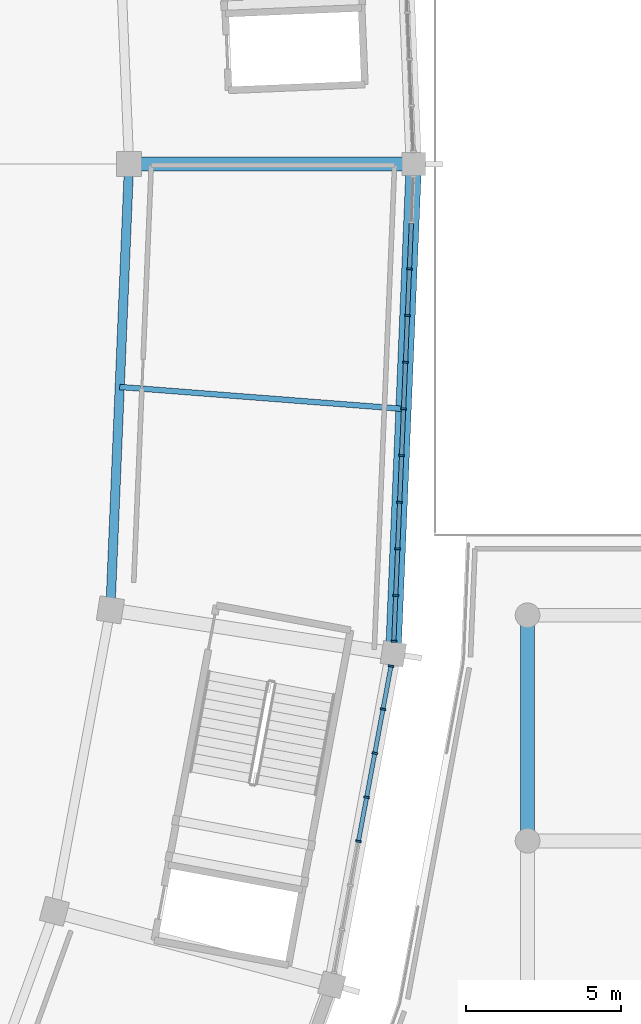
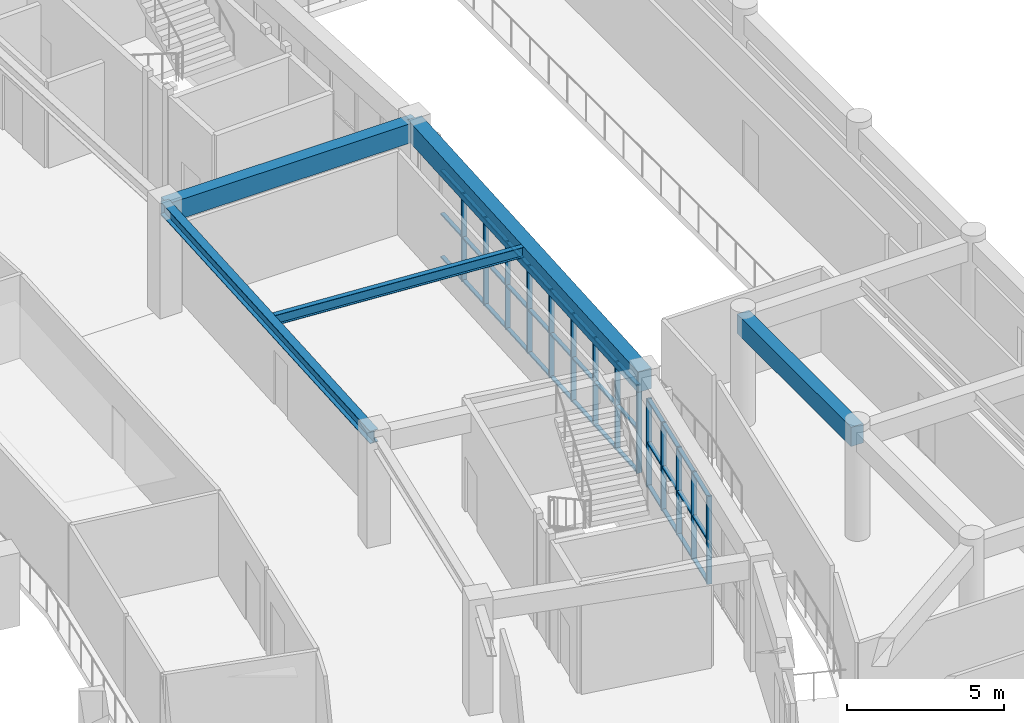
# One storey, part 43 of 141: 53 members, 5 beams, 2 elements without a shape of their own.
"""IFC4 building model written with IfcOpenShell, lengths in metres."""

from ifc_helpers import new_model, si_unit, direction, frame, origin, origin_2d, place, context, subcontext, project, spatial, rectangle, i_section, extrude, material, layer, layer_set, material_profile, profile_set, type_object, element, aggregate, save


model = new_model("IFC4")

# Units and contexts
model_context = context("Model", 3, precision=1e-05, world=origin(), true_north=direction((0.0, 1.0)))
body_context = subcontext(model_context, "Body", "Model", "MODEL_VIEW")
ifc_project = project(units=[si_unit("LENGTHUNIT", "METRE"), si_unit("AREAUNIT", "SQUARE_METRE"), si_unit("VOLUMEUNIT", "CUBIC_METRE"), si_unit("PLANEANGLEUNIT", "RADIAN"), si_unit("MASSUNIT", "GRAM", prefix="KILO")], contexts=[model_context])

# Site, building, storey
site_placement = place(None, origin())
site = spatial("IfcSite", under=ifc_project, at=site_placement, CompositionType="ELEMENT")
building_placement = place(site_placement, origin())
building = spatial("IfcBuilding", under=site, at=building_placement, Name="Mphavela Belvedere Stadium", CompositionType="ELEMENT")
storey_placement = place(building_placement, frame((0.0, 0.0, 14.699951171875)))
storey = spatial("IfcBuildingStorey", under=building, at=storey_placement, Name="L03", CompositionType="ELEMENT", Elevation=14.699951171875)

# Beams
ifc_material_1 = material(Name="Steel S355", Category="steel")
ifc_material_profile_1 = material_profile(ifc_material_1, i_section(OverallWidth=0.179931640625, OverallDepth=0.39990234375, WebThickness=0.008544921875, FlangeThickness=0.013427734375, at=origin_2d()), Name="IPE 400")
ifc_profile_set_1 = profile_set([ifc_material_profile_1], Name="Steel S355")
beam_type_1 = type_object("IfcBeamType", Name="BM-JOIST-IPE400", PredefinedType="JOIST", material=ifc_profile_set_1)
beam_1_placement = place(storey_placement, frame((208.302490234375, 79.78759765625, 4.050048828125), z_axis=(0.997024166372, -0.077089634, 0.0), x_axis=(0.077089634, 0.997024166372, 0.0)))
element("IfcBeam", 1, at=beam_1_placement, inside=storey, type_object=beam_type_1, Name="Concourse floor joist L03-48", PredefinedType="JOIST", context=body_context, shape_type="SweptSolid", body=[
    extrude(i_section(OverallWidth=0.179931640625, OverallDepth=0.39990234375, WebThickness=0.008544921875, FlangeThickness=0.013427734375, at=origin_2d()), origin(), (0.0, 0.0, 1.0), 9.212646484375),
])
ifc_material_2 = material(Name="Concrete C40/50", Category="concrete")
ifc_material_profile_2 = material_profile(ifc_material_2, rectangle(XDim=0.449951171875, YDim=0.75, at=origin_2d()), Name="RC 450x750")
ifc_profile_set_2 = profile_set([ifc_material_profile_2], Name="Concrete C40/50")
beam_type_2 = type_object("IfcBeamType", Name="BM-RC450x750", PredefinedType="BEAM", material=ifc_profile_set_2)
beam_2_placement = place(storey_placement, frame((208.60498046875, 87.0, 3.875), z_axis=(1.0, 0.0, 0.0), x_axis=(0.0, 1.0, 0.0)))
element("IfcBeam", 2, at=beam_2_placement, inside=storey, type_object=beam_type_2, Name="Radial concourse girder L03 R3R4-01", PredefinedType="BEAM", context=body_context, shape_type="SweptSolid", body=[
    extrude(rectangle(XDim=0.449951171875, YDim=0.75, at=origin_2d()), origin(), (0.0, 0.0, 1.0), 9.215087890625),
])
beam_3_placement = place(storey_placement, frame((221.5, 65.10009765625, 3.864990234375), z_axis=(0.0, 1.0, 0.0), x_axis=(-1.0, 0.0, 0.0)))
element("IfcBeam", 3, at=beam_3_placement, inside=storey, type_object=beam_type_2, Name="East Planted Eaves Peristyle Colonnade entablature beam Y L03 8-3", PredefinedType="BEAM", context=body_context, shape_type="SweptSolid", body=[
    extrude(rectangle(XDim=0.449951171875, YDim=0.75, at=origin_2d()), origin(), (0.0, 0.0, 1.0), 7.2998046875),
])
ifc_material_3 = material(Name="Concrete C40/50", Category="concrete")
ifc_material_profile_3 = material_profile(ifc_material_3, rectangle(XDim=0.5, YDim=0.800048828125, at=origin_2d()), Name="RC 500x800")
ifc_profile_set_3 = profile_set([ifc_material_profile_3], Name="Concrete C40/50")
beam_type_3 = type_object("IfcBeamType", Name="BM-SPANDREL-800", PredefinedType="SPANDREL", material=ifc_profile_set_3)
beam_4_placement = place(storey_placement, frame((217.155517578125, 71.155029296875, 3.85009765625), z_axis=(0.041903963155, 0.999121643181, 0.0), x_axis=(-0.999121643181, 0.041903963155, 0.0)))
element("IfcBeam", 4, at=beam_4_placement, inside=storey, type_object=beam_type_3, Name="Circumferential girder L03 R4-48", PredefinedType="SPANDREL", context=body_context, shape_type="SweptSolid", body=[
    extrude(rectangle(XDim=0.5, YDim=0.800048828125, at=origin_2d()), origin(), (0.0, 0.0, 1.0), 15.85888671875),
])
ifc_material_4 = material(Name="Steel S355", Category="steel")
ifc_material_profile_4 = material_profile(ifc_material_4, i_section(OverallWidth=0.300048828125, OverallDepth=0.489990234375, WebThickness=0.011962890625, FlangeThickness=0.02294921875, at=origin_2d()), Name="HEA 500")
ifc_profile_set_4 = profile_set([ifc_material_profile_4], Name="Steel S355")
beam_type_4 = type_object("IfcBeamType", Name="BM-STEEL-HEA500", PredefinedType="BEAM", material=ifc_profile_set_4)
beam_5_placement = place(storey_placement, frame((208.0, 72.5751953125, 4.005126953125), z_axis=(0.041903450766, 0.99912166467, 0.0), x_axis=(-0.99912166467, 0.041903450766, 0.0)))
element("IfcBeam", 5, at=beam_5_placement, inside=storey, type_object=beam_type_4, Name="Circumferential girder L03 R3-48", PredefinedType="BEAM", context=body_context, shape_type="SweptSolid", body=[
    extrude(i_section(OverallWidth=0.300048828125, OverallDepth=0.489990234375, WebThickness=0.011962890625, FlangeThickness=0.02294921875, at=origin_2d()), origin(), (0.0, 0.0, 1.0), 14.4375),
])

# Curtain wall, members
ifc_material_5 = material(Name="Anodised bronze unitised curtain wall framing")
ifc_layer_1 = layer(ifc_material_5, 0.18994140625)
ifc_layer_set_1 = layer_set([ifc_layer_1], Name="Anodised bronze unitised curtain wall framing")
curtain_wall_type_1 = type_object("IfcCurtainWallType", Name="CW-UNIT-03", PredefinedType="USERDEFINED", material=ifc_layer_set_1)
curtain_wall_1_placement = place(storey_placement, origin())
curtain_wall_1 = element("IfcCurtainWall", 6, at=curtain_wall_1_placement, inside=storey, type_object=curtain_wall_type_1, Name="Belvedere colonnade curtain wall L03-47", ObjectType="UNITISED CURTAIN WALL", PredefinedType="USERDEFINED")
ifc_material_6 = material(Name="Anodised bronze extruded aluminium", Category="aluminium")
ifc_material_profile_5 = material_profile(ifc_material_6, rectangle(XDim=0.179931640625, YDim=0.06494140625, at=origin_2d()), Name="CW-MUL 180x65")
ifc_profile_set_5 = profile_set([ifc_material_profile_5], Name="Anodised bronze extruded aluminium")
member_type_1 = type_object("IfcMemberType", Name="CWM-180x65", PredefinedType="MULLION", material=ifc_profile_set_5)
member_1_placement = place(storey_placement, frame((216.027587890625, 65.0830078125, 0.0), z_axis=(0.0, 0.0, 1.0), x_axis=(-0.983181487142, 0.182631222254, 0.0)))
member_1 = element("IfcMember", 7, at=member_1_placement, type_object=member_type_1, Name="CW-03 mullion 4", PredefinedType="MULLION", context=body_context, shape_type="SweptSolid", body=[
    extrude(rectangle(XDim=0.179931640625, YDim=0.06494140625, at=origin_2d()), origin(), (0.0, 0.0, 1.0), 3.420166015625),
])
member_2_placement = place(storey_placement, frame((216.29248046875, 66.509521484375, 0.0), z_axis=(0.0, 0.0, 1.0), x_axis=(-0.983181487142, 0.182631222254, 0.0)))
member_2 = element("IfcMember", 8, at=member_2_placement, type_object=member_type_1, Name="CW-03 mullion 5", PredefinedType="MULLION", context=body_context, shape_type="SweptSolid", body=[
    extrude(rectangle(XDim=0.179931640625, YDim=0.06494140625, at=origin_2d()), origin(), (0.0, 0.0, 1.0), 3.420166015625),
])
member_3_placement = place(storey_placement, frame((216.557373046875, 67.935791015625, 0.0), z_axis=(0.0, 0.0, 1.0), x_axis=(-0.983181487142, 0.182631222254, 0.0)))
member_3 = element("IfcMember", 9, at=member_3_placement, type_object=member_type_1, Name="CW-03 mullion 6", PredefinedType="MULLION", context=body_context, shape_type="SweptSolid", body=[
    extrude(rectangle(XDim=0.179931640625, YDim=0.06494140625, at=origin_2d()), origin(), (0.0, 0.0, 1.0), 3.420166015625),
])
member_4_placement = place(storey_placement, frame((216.822265625, 69.362060546875, 0.0), z_axis=(0.0, 0.0, 1.0), x_axis=(-0.983181487142, 0.182631222254, 0.0)))
member_4 = element("IfcMember", 10, at=member_4_placement, type_object=member_type_1, Name="CW-03 mullion 7", PredefinedType="MULLION", context=body_context, shape_type="SweptSolid", body=[
    extrude(rectangle(XDim=0.179931640625, YDim=0.06494140625, at=origin_2d()), origin(), (0.0, 0.0, 1.0), 3.420166015625),
])
member_5_placement = place(storey_placement, frame((217.081298828125, 70.75634765625, 0.0), z_axis=(0.0, 0.0, 1.0), x_axis=(-0.983181487142, 0.182631222254, 0.0)))
member_5 = element("IfcMember", 11, at=member_5_placement, type_object=member_type_1, Name="CW-03 mullion 8", PredefinedType="MULLION", context=body_context, shape_type="SweptSolid", body=[
    extrude(rectangle(XDim=0.179931640625, YDim=0.06494140625, at=origin_2d()), origin(), (0.0, 0.0, 1.0), 3.420166015625),
])

ifc_material_7 = material(Name="Anodised bronze unitised curtain wall framing")
ifc_layer_2 = layer(ifc_material_7, 0.195068359375)
ifc_layer_set_2 = layer_set([ifc_layer_2], Name="Anodised bronze unitised curtain wall framing")
curtain_wall_type_2 = type_object("IfcCurtainWallType", Name="CW-UNIT-04", PredefinedType="USERDEFINED", material=ifc_layer_set_2)
curtain_wall_2_placement = place(storey_placement, origin())
curtain_wall_2 = element("IfcCurtainWall", 12, at=curtain_wall_2_placement, inside=storey, type_object=curtain_wall_type_2, Name="Belvedere colonnade curtain wall L03-48", ObjectType="UNITISED CURTAIN WALL", PredefinedType="USERDEFINED")
member_6_placement = place(storey_placement, frame((217.17236328125, 71.56005859375, 0.0), z_axis=(0.0, 0.0, 1.0), x_axis=(-0.999121336582, 0.041911272788, 0.0)))
member_6 = element("IfcMember", 13, at=member_6_placement, type_object=member_type_1, Name="CW-04 mullion 1", PredefinedType="MULLION", context=body_context, shape_type="SweptSolid", body=[
    extrude(rectangle(XDim=0.179931640625, YDim=0.06494140625, at=origin_2d()), origin(), (0.0, 0.0, 1.0), 3.420166015625),
])
member_7_placement = place(storey_placement, frame((217.234375, 73.03759765625, 0.0), z_axis=(0.0, 0.0, 1.0), x_axis=(-0.999121336582, 0.041911272788, 0.0)))
member_7 = element("IfcMember", 14, at=member_7_placement, type_object=member_type_1, Name="CW-04 mullion 2", PredefinedType="MULLION", context=body_context, shape_type="SweptSolid", body=[
    extrude(rectangle(XDim=0.179931640625, YDim=0.06494140625, at=origin_2d()), origin(), (0.0, 0.0, 1.0), 3.420166015625),
])
member_8_placement = place(storey_placement, frame((217.297607421875, 74.547607421875, 0.0), z_axis=(0.0, 0.0, 1.0), x_axis=(-0.999121336582, 0.041911272788, 0.0)))
member_8 = element("IfcMember", 15, at=member_8_placement, type_object=member_type_1, Name="CW-04 mullion 3", PredefinedType="MULLION", context=body_context, shape_type="SweptSolid", body=[
    extrude(rectangle(XDim=0.179931640625, YDim=0.06494140625, at=origin_2d()), origin(), (0.0, 0.0, 1.0), 3.420166015625),
])
member_9_placement = place(storey_placement, frame((217.361083984375, 76.0576171875, 0.0), z_axis=(0.0, 0.0, 1.0), x_axis=(-0.999121336582, 0.041911272788, 0.0)))
member_9 = element("IfcMember", 16, at=member_9_placement, type_object=member_type_1, Name="CW-04 mullion 4", PredefinedType="MULLION", context=body_context, shape_type="SweptSolid", body=[
    extrude(rectangle(XDim=0.179931640625, YDim=0.06494140625, at=origin_2d()), origin(), (0.0, 0.0, 1.0), 3.420166015625),
])
member_10_placement = place(storey_placement, frame((217.42431640625, 77.567626953125, 0.0), z_axis=(0.0, 0.0, 1.0), x_axis=(-0.999121336582, 0.041911272788, 0.0)))
member_10 = element("IfcMember", 17, at=member_10_placement, type_object=member_type_1, Name="CW-04 mullion 5", PredefinedType="MULLION", context=body_context, shape_type="SweptSolid", body=[
    extrude(rectangle(XDim=0.179931640625, YDim=0.06494140625, at=origin_2d()), origin(), (0.0, 0.0, 1.0), 3.420166015625),
])
member_11_placement = place(storey_placement, frame((217.48779296875, 79.077392578125, 0.0), z_axis=(0.0, 0.0, 1.0), x_axis=(-0.999121336582, 0.041911272788, 0.0)))
member_11 = element("IfcMember", 18, at=member_11_placement, type_object=member_type_1, Name="CW-04 mullion 6", PredefinedType="MULLION", context=body_context, shape_type="SweptSolid", body=[
    extrude(rectangle(XDim=0.179931640625, YDim=0.06494140625, at=origin_2d()), origin(), (0.0, 0.0, 1.0), 3.420166015625),
])
member_12_placement = place(storey_placement, frame((217.551025390625, 80.58740234375, 0.0), z_axis=(0.0, 0.0, 1.0), x_axis=(-0.999121336582, 0.041911272788, 0.0)))
member_12 = element("IfcMember", 19, at=member_12_placement, type_object=member_type_1, Name="CW-04 mullion 7", PredefinedType="MULLION", context=body_context, shape_type="SweptSolid", body=[
    extrude(rectangle(XDim=0.179931640625, YDim=0.06494140625, at=origin_2d()), origin(), (0.0, 0.0, 1.0), 3.420166015625),
])
member_13_placement = place(storey_placement, frame((217.614501953125, 82.097412109375, 0.0), z_axis=(0.0, 0.0, 1.0), x_axis=(-0.999121336582, 0.041911272788, 0.0)))
member_13 = element("IfcMember", 20, at=member_13_placement, type_object=member_type_1, Name="CW-04 mullion 8", PredefinedType="MULLION", context=body_context, shape_type="SweptSolid", body=[
    extrude(rectangle(XDim=0.179931640625, YDim=0.06494140625, at=origin_2d()), origin(), (0.0, 0.0, 1.0), 3.420166015625),
])
member_14_placement = place(storey_placement, frame((217.677734375, 83.607421875, 0.0), z_axis=(0.0, 0.0, 1.0), x_axis=(-0.999121336582, 0.041911272788, 0.0)))
member_14 = element("IfcMember", 21, at=member_14_placement, type_object=member_type_1, Name="CW-04 mullion 9", PredefinedType="MULLION", context=body_context, shape_type="SweptSolid", body=[
    extrude(rectangle(XDim=0.179931640625, YDim=0.06494140625, at=origin_2d()), origin(), (0.0, 0.0, 1.0), 3.420166015625),
])

# Member
ifc_material_8 = material(Name="Anodised bronze extruded aluminium", Category="aluminium")
ifc_material_profile_6 = material_profile(ifc_material_8, rectangle(XDim=0.139892578125, YDim=0.06005859375, at=origin_2d()), Name="CW-TRN 140x60")
ifc_profile_set_6 = profile_set([ifc_material_profile_6], Name="Anodised bronze extruded aluminium")
member_type_2 = type_object("IfcMemberType", Name="CWT-140x60", PredefinedType="USERDEFINED", material=ifc_profile_set_6)
member_15_placement = place(storey_placement, frame((216.033447265625, 65.114990234375, 0.030029296875), z_axis=(0.182682203947, 0.983172015652, 0.0), x_axis=(-0.983172015652, 0.182682203947, 0.0)))
member_15 = element("IfcMember", 22, at=member_15_placement, type_object=member_type_2, Name="CW-03 transom 4.1", ObjectType="TRANSOM", PredefinedType="USERDEFINED", context=body_context, shape_type="SweptSolid", body=[
    extrude(rectangle(XDim=0.139892578125, YDim=0.06005859375, at=origin_2d()), origin(), (0.0, 0.0, 1.0), 1.385986328125),
])

member_16_placement = place(storey_placement, frame((216.033447265625, 65.114990234375, 1.7099609375), z_axis=(0.182682203947, 0.983172015652, 0.0), x_axis=(-0.983172015652, 0.182682203947, 0.0)))
member_16 = element("IfcMember", 23, at=member_16_placement, type_object=member_type_2, Name="CW-03 transom 4.2", ObjectType="TRANSOM", PredefinedType="USERDEFINED", context=body_context, shape_type="SweptSolid", body=[
    extrude(rectangle(XDim=0.139892578125, YDim=0.06005859375, at=origin_2d()), origin(), (0.0, 0.0, 1.0), 1.385986328125),
])

member_17_placement = place(storey_placement, frame((216.033447265625, 65.114990234375, 3.39013671875), z_axis=(0.182682203947, 0.983172015652, 0.0), x_axis=(-0.983172015652, 0.182682203947, 0.0)))
member_17 = element("IfcMember", 24, at=member_17_placement, type_object=member_type_2, Name="CW-03 transom 4.3", ObjectType="TRANSOM", PredefinedType="USERDEFINED", context=body_context, shape_type="SweptSolid", body=[
    extrude(rectangle(XDim=0.139892578125, YDim=0.06005859375, at=origin_2d()), origin(), (0.0, 0.0, 1.0), 1.385986328125),
])

member_18_placement = place(storey_placement, frame((216.29833984375, 66.541259765625, 0.030029296875), z_axis=(0.182682203947, 0.983172015652, 0.0), x_axis=(-0.983172015652, 0.182682203947, 0.0)))
member_18 = element("IfcMember", 25, at=member_18_placement, type_object=member_type_2, Name="CW-03 transom 5.1", ObjectType="TRANSOM", PredefinedType="USERDEFINED", context=body_context, shape_type="SweptSolid", body=[
    extrude(rectangle(XDim=0.139892578125, YDim=0.06005859375, at=origin_2d()), origin(), (0.0, 0.0, 1.0), 1.385986328125),
])

member_19_placement = place(storey_placement, frame((216.29833984375, 66.541259765625, 1.7099609375), z_axis=(0.182682203947, 0.983172015652, 0.0), x_axis=(-0.983172015652, 0.182682203947, 0.0)))
member_19 = element("IfcMember", 26, at=member_19_placement, type_object=member_type_2, Name="CW-03 transom 5.2", ObjectType="TRANSOM", PredefinedType="USERDEFINED", context=body_context, shape_type="SweptSolid", body=[
    extrude(rectangle(XDim=0.139892578125, YDim=0.06005859375, at=origin_2d()), origin(), (0.0, 0.0, 1.0), 1.385986328125),
])

member_20_placement = place(storey_placement, frame((216.29833984375, 66.541259765625, 3.39013671875), z_axis=(0.182682203947, 0.983172015652, 0.0), x_axis=(-0.983172015652, 0.182682203947, 0.0)))
member_20 = element("IfcMember", 27, at=member_20_placement, type_object=member_type_2, Name="CW-03 transom 5.3", ObjectType="TRANSOM", PredefinedType="USERDEFINED", context=body_context, shape_type="SweptSolid", body=[
    extrude(rectangle(XDim=0.139892578125, YDim=0.06005859375, at=origin_2d()), origin(), (0.0, 0.0, 1.0), 1.385986328125),
])

member_21_placement = place(storey_placement, frame((216.563232421875, 67.9677734375, 0.030029296875), z_axis=(0.182713849827, 0.983166135036, 0.0), x_axis=(-0.983166135036, 0.182713849827, 0.0)))
member_21 = element("IfcMember", 28, at=member_21_placement, type_object=member_type_2, Name="CW-03 transom 6.1", ObjectType="TRANSOM", PredefinedType="USERDEFINED", context=body_context, shape_type="SweptSolid", body=[
    extrude(rectangle(XDim=0.139892578125, YDim=0.06005859375, at=origin_2d()), origin(), (0.0, 0.0, 1.0), 1.3857421875),
])

member_22_placement = place(storey_placement, frame((216.563232421875, 67.9677734375, 1.7099609375), z_axis=(0.182713849827, 0.983166135036, 0.0), x_axis=(-0.983166135036, 0.182713849827, 0.0)))
member_22 = element("IfcMember", 29, at=member_22_placement, type_object=member_type_2, Name="CW-03 transom 6.2", ObjectType="TRANSOM", PredefinedType="USERDEFINED", context=body_context, shape_type="SweptSolid", body=[
    extrude(rectangle(XDim=0.139892578125, YDim=0.06005859375, at=origin_2d()), origin(), (0.0, 0.0, 1.0), 1.3857421875),
])

member_23_placement = place(storey_placement, frame((216.563232421875, 67.9677734375, 3.39013671875), z_axis=(0.182713849827, 0.983166135036, 0.0), x_axis=(-0.983166135036, 0.182713849827, 0.0)))
member_23 = element("IfcMember", 30, at=member_23_placement, type_object=member_type_2, Name="CW-03 transom 6.3", ObjectType="TRANSOM", PredefinedType="USERDEFINED", context=body_context, shape_type="SweptSolid", body=[
    extrude(rectangle(XDim=0.139892578125, YDim=0.06005859375, at=origin_2d()), origin(), (0.0, 0.0, 1.0), 1.3857421875),
])

member_24_placement = place(storey_placement, frame((216.828369140625, 69.39404296875, 0.030029296875), z_axis=(0.182599668928, 0.983187347817, 0.0), x_axis=(-0.983187347817, 0.182599668928, 0.0)))
member_24 = element("IfcMember", 31, at=member_24_placement, type_object=member_type_2, Name="CW-03 transom 7.1", ObjectType="TRANSOM", PredefinedType="USERDEFINED", context=body_context, shape_type="SweptSolid", body=[
    extrude(rectangle(XDim=0.139892578125, YDim=0.06005859375, at=origin_2d()), origin(), (0.0, 0.0, 1.0), 1.35302734375),
])

member_25_placement = place(storey_placement, frame((216.828369140625, 69.39404296875, 1.7099609375), z_axis=(0.182599668928, 0.983187347817, 0.0), x_axis=(-0.983187347817, 0.182599668928, 0.0)))
member_25 = element("IfcMember", 32, at=member_25_placement, type_object=member_type_2, Name="CW-03 transom 7.2", ObjectType="TRANSOM", PredefinedType="USERDEFINED", context=body_context, shape_type="SweptSolid", body=[
    extrude(rectangle(XDim=0.139892578125, YDim=0.06005859375, at=origin_2d()), origin(), (0.0, 0.0, 1.0), 1.35302734375),
])

member_26_placement = place(storey_placement, frame((216.828369140625, 69.39404296875, 3.39013671875), z_axis=(0.182599668928, 0.983187347817, 0.0), x_axis=(-0.983187347817, 0.182599668928, 0.0)))
member_26 = element("IfcMember", 33, at=member_26_placement, type_object=member_type_2, Name="CW-03 transom 7.3", ObjectType="TRANSOM", PredefinedType="USERDEFINED", context=body_context, shape_type="SweptSolid", body=[
    extrude(rectangle(XDim=0.139892578125, YDim=0.06005859375, at=origin_2d()), origin(), (0.0, 0.0, 1.0), 1.35302734375),
])

aggregate(curtain_wall_1, [member_1, member_2, member_3, member_4, member_5, member_15, member_16, member_17, member_18, member_19, member_20, member_21, member_22, member_23, member_24, member_25, member_26])

member_27_placement = place(storey_placement, frame((217.173828125, 71.592529296875, 0.030029296875), z_axis=(0.041788559858, 0.999126476611, 0.0), x_axis=(-0.999126476611, 0.041788559858, 0.0)))
member_27 = element("IfcMember", 34, at=member_27_placement, type_object=member_type_2, Name="CW-04 transom 1.1", ObjectType="TRANSOM", PredefinedType="USERDEFINED", context=body_context, shape_type="SweptSolid", body=[
    extrude(rectangle(XDim=0.139892578125, YDim=0.06005859375, at=origin_2d()), origin(), (0.0, 0.0, 1.0), 1.413818359375),
])

member_28_placement = place(storey_placement, frame((217.173828125, 71.592529296875, 1.7099609375), z_axis=(0.041788559858, 0.999126476611, 0.0), x_axis=(-0.999126476611, 0.041788559858, 0.0)))
member_28 = element("IfcMember", 35, at=member_28_placement, type_object=member_type_2, Name="CW-04 transom 1.2", ObjectType="TRANSOM", PredefinedType="USERDEFINED", context=body_context, shape_type="SweptSolid", body=[
    extrude(rectangle(XDim=0.139892578125, YDim=0.06005859375, at=origin_2d()), origin(), (0.0, 0.0, 1.0), 1.413818359375),
])

member_29_placement = place(storey_placement, frame((217.173828125, 71.592529296875, 3.39013671875), z_axis=(0.041788559858, 0.999126476611, 0.0), x_axis=(-0.999126476611, 0.041788559858, 0.0)))
member_29 = element("IfcMember", 36, at=member_29_placement, type_object=member_type_2, Name="CW-04 transom 1.3", ObjectType="TRANSOM", PredefinedType="USERDEFINED", context=body_context, shape_type="SweptSolid", body=[
    extrude(rectangle(XDim=0.139892578125, YDim=0.06005859375, at=origin_2d()), origin(), (0.0, 0.0, 1.0), 1.413818359375),
])

member_30_placement = place(storey_placement, frame((217.235595703125, 73.070068359375, 0.030029296875), z_axis=(0.042030742213, 0.999116317907, 0.0), x_axis=(-0.999116317907, 0.042030742213, 0.0)))
member_30 = element("IfcMember", 37, at=member_30_placement, type_object=member_type_2, Name="CW-04 transom 2.1", ObjectType="TRANSOM", PredefinedType="USERDEFINED", context=body_context, shape_type="SweptSolid", body=[
    extrude(rectangle(XDim=0.139892578125, YDim=0.06005859375, at=origin_2d()), origin(), (0.0, 0.0, 1.0), 1.4462890625),
])

member_31_placement = place(storey_placement, frame((217.235595703125, 73.070068359375, 1.7099609375), z_axis=(0.042030742213, 0.999116317907, 0.0), x_axis=(-0.999116317907, 0.042030742213, 0.0)))
member_31 = element("IfcMember", 38, at=member_31_placement, type_object=member_type_2, Name="CW-04 transom 2.2", ObjectType="TRANSOM", PredefinedType="USERDEFINED", context=body_context, shape_type="SweptSolid", body=[
    extrude(rectangle(XDim=0.139892578125, YDim=0.06005859375, at=origin_2d()), origin(), (0.0, 0.0, 1.0), 1.4462890625),
])

member_32_placement = place(storey_placement, frame((217.235595703125, 73.070068359375, 3.39013671875), z_axis=(0.042030742213, 0.999116317907, 0.0), x_axis=(-0.999116317907, 0.042030742213, 0.0)))
member_32 = element("IfcMember", 39, at=member_32_placement, type_object=member_type_2, Name="CW-04 transom 2.3", ObjectType="TRANSOM", PredefinedType="USERDEFINED", context=body_context, shape_type="SweptSolid", body=[
    extrude(rectangle(XDim=0.139892578125, YDim=0.06005859375, at=origin_2d()), origin(), (0.0, 0.0, 1.0), 1.4462890625),
])

member_33_placement = place(storey_placement, frame((217.299072265625, 74.580078125, 0.030029296875), z_axis=(0.041862240457, 0.999123392191, 0.0), x_axis=(-0.999123392191, 0.041862240457, 0.0)))
member_33 = element("IfcMember", 40, at=member_33_placement, type_object=member_type_2, Name="CW-04 transom 3.1", ObjectType="TRANSOM", PredefinedType="USERDEFINED", context=body_context, shape_type="SweptSolid", body=[
    extrude(rectangle(XDim=0.139892578125, YDim=0.06005859375, at=origin_2d()), origin(), (0.0, 0.0, 1.0), 1.4462890625),
])

member_34_placement = place(storey_placement, frame((217.299072265625, 74.580078125, 1.7099609375), z_axis=(0.041862240457, 0.999123392191, 0.0), x_axis=(-0.999123392191, 0.041862240457, 0.0)))
member_34 = element("IfcMember", 41, at=member_34_placement, type_object=member_type_2, Name="CW-04 transom 3.2", ObjectType="TRANSOM", PredefinedType="USERDEFINED", context=body_context, shape_type="SweptSolid", body=[
    extrude(rectangle(XDim=0.139892578125, YDim=0.06005859375, at=origin_2d()), origin(), (0.0, 0.0, 1.0), 1.4462890625),
])

member_35_placement = place(storey_placement, frame((217.299072265625, 74.580078125, 3.39013671875), z_axis=(0.041862240457, 0.999123392191, 0.0), x_axis=(-0.999123392191, 0.041862240457, 0.0)))
member_35 = element("IfcMember", 42, at=member_35_placement, type_object=member_type_2, Name="CW-04 transom 3.3", ObjectType="TRANSOM", PredefinedType="USERDEFINED", context=body_context, shape_type="SweptSolid", body=[
    extrude(rectangle(XDim=0.139892578125, YDim=0.06005859375, at=origin_2d()), origin(), (0.0, 0.0, 1.0), 1.4462890625),
])

member_36_placement = place(storey_placement, frame((217.3623046875, 76.090087890625, 0.030029296875), z_axis=(0.042030742213, 0.999116317907, 0.0), x_axis=(-0.999116317907, 0.042030742213, 0.0)))
member_36 = element("IfcMember", 43, at=member_36_placement, type_object=member_type_2, Name="CW-04 transom 4.1", ObjectType="TRANSOM", PredefinedType="USERDEFINED", context=body_context, shape_type="SweptSolid", body=[
    extrude(rectangle(XDim=0.139892578125, YDim=0.06005859375, at=origin_2d()), origin(), (0.0, 0.0, 1.0), 1.4462890625),
])

member_37_placement = place(storey_placement, frame((217.3623046875, 76.090087890625, 1.7099609375), z_axis=(0.042030742213, 0.999116317907, 0.0), x_axis=(-0.999116317907, 0.042030742213, 0.0)))
member_37 = element("IfcMember", 44, at=member_37_placement, type_object=member_type_2, Name="CW-04 transom 4.2", ObjectType="TRANSOM", PredefinedType="USERDEFINED", context=body_context, shape_type="SweptSolid", body=[
    extrude(rectangle(XDim=0.139892578125, YDim=0.06005859375, at=origin_2d()), origin(), (0.0, 0.0, 1.0), 1.4462890625),
])

member_38_placement = place(storey_placement, frame((217.3623046875, 76.090087890625, 3.39013671875), z_axis=(0.042030742213, 0.999116317907, 0.0), x_axis=(-0.999116317907, 0.042030742213, 0.0)))
member_38 = element("IfcMember", 45, at=member_38_placement, type_object=member_type_2, Name="CW-04 transom 4.3", ObjectType="TRANSOM", PredefinedType="USERDEFINED", context=body_context, shape_type="SweptSolid", body=[
    extrude(rectangle(XDim=0.139892578125, YDim=0.06005859375, at=origin_2d()), origin(), (0.0, 0.0, 1.0), 1.4462890625),
])

member_39_placement = place(storey_placement, frame((217.42578125, 77.60009765625, 0.030029296875), z_axis=(0.041869301771, 0.999123096305, 0.0), x_axis=(-0.999123096305, 0.041869301771, 0.0)))
member_39 = element("IfcMember", 46, at=member_39_placement, type_object=member_type_2, Name="CW-04 transom 5.1", ObjectType="TRANSOM", PredefinedType="USERDEFINED", context=body_context, shape_type="SweptSolid", body=[
    extrude(rectangle(XDim=0.139892578125, YDim=0.06005859375, at=origin_2d()), origin(), (0.0, 0.0, 1.0), 1.446044921875),
])

member_40_placement = place(storey_placement, frame((217.42578125, 77.60009765625, 1.7099609375), z_axis=(0.041869301771, 0.999123096305, 0.0), x_axis=(-0.999123096305, 0.041869301771, 0.0)))
member_40 = element("IfcMember", 47, at=member_40_placement, type_object=member_type_2, Name="CW-04 transom 5.2", ObjectType="TRANSOM", PredefinedType="USERDEFINED", context=body_context, shape_type="SweptSolid", body=[
    extrude(rectangle(XDim=0.139892578125, YDim=0.06005859375, at=origin_2d()), origin(), (0.0, 0.0, 1.0), 1.446044921875),
])

member_41_placement = place(storey_placement, frame((217.42578125, 77.60009765625, 3.39013671875), z_axis=(0.041869301771, 0.999123096305, 0.0), x_axis=(-0.999123096305, 0.041869301771, 0.0)))
member_41 = element("IfcMember", 48, at=member_41_placement, type_object=member_type_2, Name="CW-04 transom 5.3", ObjectType="TRANSOM", PredefinedType="USERDEFINED", context=body_context, shape_type="SweptSolid", body=[
    extrude(rectangle(XDim=0.139892578125, YDim=0.06005859375, at=origin_2d()), origin(), (0.0, 0.0, 1.0), 1.446044921875),
])

member_42_placement = place(storey_placement, frame((217.489013671875, 79.10986328125, 0.030029296875), z_axis=(0.041862240457, 0.999123392191, 0.0), x_axis=(-0.999123392191, 0.041862240457, 0.0)))
member_42 = element("IfcMember", 49, at=member_42_placement, type_object=member_type_2, Name="CW-04 transom 6.1", ObjectType="TRANSOM", PredefinedType="USERDEFINED", context=body_context, shape_type="SweptSolid", body=[
    extrude(rectangle(XDim=0.139892578125, YDim=0.06005859375, at=origin_2d()), origin(), (0.0, 0.0, 1.0), 1.4462890625),
])

member_43_placement = place(storey_placement, frame((217.489013671875, 79.10986328125, 1.7099609375), z_axis=(0.041862240457, 0.999123392191, 0.0), x_axis=(-0.999123392191, 0.041862240457, 0.0)))
member_43 = element("IfcMember", 50, at=member_43_placement, type_object=member_type_2, Name="CW-04 transom 6.2", ObjectType="TRANSOM", PredefinedType="USERDEFINED", context=body_context, shape_type="SweptSolid", body=[
    extrude(rectangle(XDim=0.139892578125, YDim=0.06005859375, at=origin_2d()), origin(), (0.0, 0.0, 1.0), 1.4462890625),
])

member_44_placement = place(storey_placement, frame((217.489013671875, 79.10986328125, 3.39013671875), z_axis=(0.041862240457, 0.999123392191, 0.0), x_axis=(-0.999123392191, 0.041862240457, 0.0)))
member_44 = element("IfcMember", 51, at=member_44_placement, type_object=member_type_2, Name="CW-04 transom 6.3", ObjectType="TRANSOM", PredefinedType="USERDEFINED", context=body_context, shape_type="SweptSolid", body=[
    extrude(rectangle(XDim=0.139892578125, YDim=0.06005859375, at=origin_2d()), origin(), (0.0, 0.0, 1.0), 1.4462890625),
])

member_45_placement = place(storey_placement, frame((217.552490234375, 80.619873046875, 0.030029296875), z_axis=(0.041862240457, 0.999123392191, 0.0), x_axis=(-0.999123392191, 0.041862240457, 0.0)))
member_45 = element("IfcMember", 52, at=member_45_placement, type_object=member_type_2, Name="CW-04 transom 7.1", ObjectType="TRANSOM", PredefinedType="USERDEFINED", context=body_context, shape_type="SweptSolid", body=[
    extrude(rectangle(XDim=0.139892578125, YDim=0.06005859375, at=origin_2d()), origin(), (0.0, 0.0, 1.0), 1.4462890625),
])

member_46_placement = place(storey_placement, frame((217.552490234375, 80.619873046875, 1.7099609375), z_axis=(0.041862240457, 0.999123392191, 0.0), x_axis=(-0.999123392191, 0.041862240457, 0.0)))
member_46 = element("IfcMember", 53, at=member_46_placement, type_object=member_type_2, Name="CW-04 transom 7.2", ObjectType="TRANSOM", PredefinedType="USERDEFINED", context=body_context, shape_type="SweptSolid", body=[
    extrude(rectangle(XDim=0.139892578125, YDim=0.06005859375, at=origin_2d()), origin(), (0.0, 0.0, 1.0), 1.4462890625),
])

member_47_placement = place(storey_placement, frame((217.552490234375, 80.619873046875, 3.39013671875), z_axis=(0.041862240457, 0.999123392191, 0.0), x_axis=(-0.999123392191, 0.041862240457, 0.0)))
member_47 = element("IfcMember", 54, at=member_47_placement, type_object=member_type_2, Name="CW-04 transom 7.3", ObjectType="TRANSOM", PredefinedType="USERDEFINED", context=body_context, shape_type="SweptSolid", body=[
    extrude(rectangle(XDim=0.139892578125, YDim=0.06005859375, at=origin_2d()), origin(), (0.0, 0.0, 1.0), 1.4462890625),
])

member_48_placement = place(storey_placement, frame((217.61572265625, 82.1298828125, 0.030029296875), z_axis=(0.041862240457, 0.999123392191, 0.0), x_axis=(-0.999123392191, 0.041862240457, 0.0)))
member_48 = element("IfcMember", 55, at=member_48_placement, type_object=member_type_2, Name="CW-04 transom 8.1", ObjectType="TRANSOM", PredefinedType="USERDEFINED", context=body_context, shape_type="SweptSolid", body=[
    extrude(rectangle(XDim=0.139892578125, YDim=0.06005859375, at=origin_2d()), origin(), (0.0, 0.0, 1.0), 1.4462890625),
])

member_49_placement = place(storey_placement, frame((217.61572265625, 82.1298828125, 1.7099609375), z_axis=(0.041862240457, 0.999123392191, 0.0), x_axis=(-0.999123392191, 0.041862240457, 0.0)))
member_49 = element("IfcMember", 56, at=member_49_placement, type_object=member_type_2, Name="CW-04 transom 8.2", ObjectType="TRANSOM", PredefinedType="USERDEFINED", context=body_context, shape_type="SweptSolid", body=[
    extrude(rectangle(XDim=0.139892578125, YDim=0.06005859375, at=origin_2d()), origin(), (0.0, 0.0, 1.0), 1.4462890625),
])

member_50_placement = place(storey_placement, frame((217.61572265625, 82.1298828125, 3.39013671875), z_axis=(0.041862240457, 0.999123392191, 0.0), x_axis=(-0.999123392191, 0.041862240457, 0.0)))
member_50 = element("IfcMember", 57, at=member_50_placement, type_object=member_type_2, Name="CW-04 transom 8.3", ObjectType="TRANSOM", PredefinedType="USERDEFINED", context=body_context, shape_type="SweptSolid", body=[
    extrude(rectangle(XDim=0.139892578125, YDim=0.06005859375, at=origin_2d()), origin(), (0.0, 0.0, 1.0), 1.4462890625),
])

member_51_placement = place(storey_placement, frame((217.67919921875, 83.639892578125, 0.030029296875), z_axis=(0.041862240457, 0.999123392191, 0.0), x_axis=(-0.999123392191, 0.041862240457, 0.0)))
member_51 = element("IfcMember", 58, at=member_51_placement, type_object=member_type_2, Name="CW-04 transom 9.1", ObjectType="TRANSOM", PredefinedType="USERDEFINED", context=body_context, shape_type="SweptSolid", body=[
    extrude(rectangle(XDim=0.139892578125, YDim=0.06005859375, at=origin_2d()), origin(), (0.0, 0.0, 1.0), 1.4462890625),
])

member_52_placement = place(storey_placement, frame((217.67919921875, 83.639892578125, 1.7099609375), z_axis=(0.041862240457, 0.999123392191, 0.0), x_axis=(-0.999123392191, 0.041862240457, 0.0)))
member_52 = element("IfcMember", 59, at=member_52_placement, type_object=member_type_2, Name="CW-04 transom 9.2", ObjectType="TRANSOM", PredefinedType="USERDEFINED", context=body_context, shape_type="SweptSolid", body=[
    extrude(rectangle(XDim=0.139892578125, YDim=0.06005859375, at=origin_2d()), origin(), (0.0, 0.0, 1.0), 1.4462890625),
])

member_53_placement = place(storey_placement, frame((217.67919921875, 83.639892578125, 3.39013671875), z_axis=(0.041862240457, 0.999123392191, 0.0), x_axis=(-0.999123392191, 0.041862240457, 0.0)))
member_53 = element("IfcMember", 60, at=member_53_placement, type_object=member_type_2, Name="CW-04 transom 9.3", ObjectType="TRANSOM", PredefinedType="USERDEFINED", context=body_context, shape_type="SweptSolid", body=[
    extrude(rectangle(XDim=0.139892578125, YDim=0.06005859375, at=origin_2d()), origin(), (0.0, 0.0, 1.0), 1.4462890625),
])

aggregate(curtain_wall_2, [member_6, member_7, member_8, member_9, member_10, member_11, member_12, member_13, member_14, member_27, member_28, member_29, member_30, member_31, member_32, member_33, member_34, member_35, member_36, member_37, member_38, member_39, member_40, member_41, member_42, member_43, member_44, member_45, member_46, member_47, member_48, member_49, member_50, member_51, member_52, member_53])

save(model, "model.ifc")
